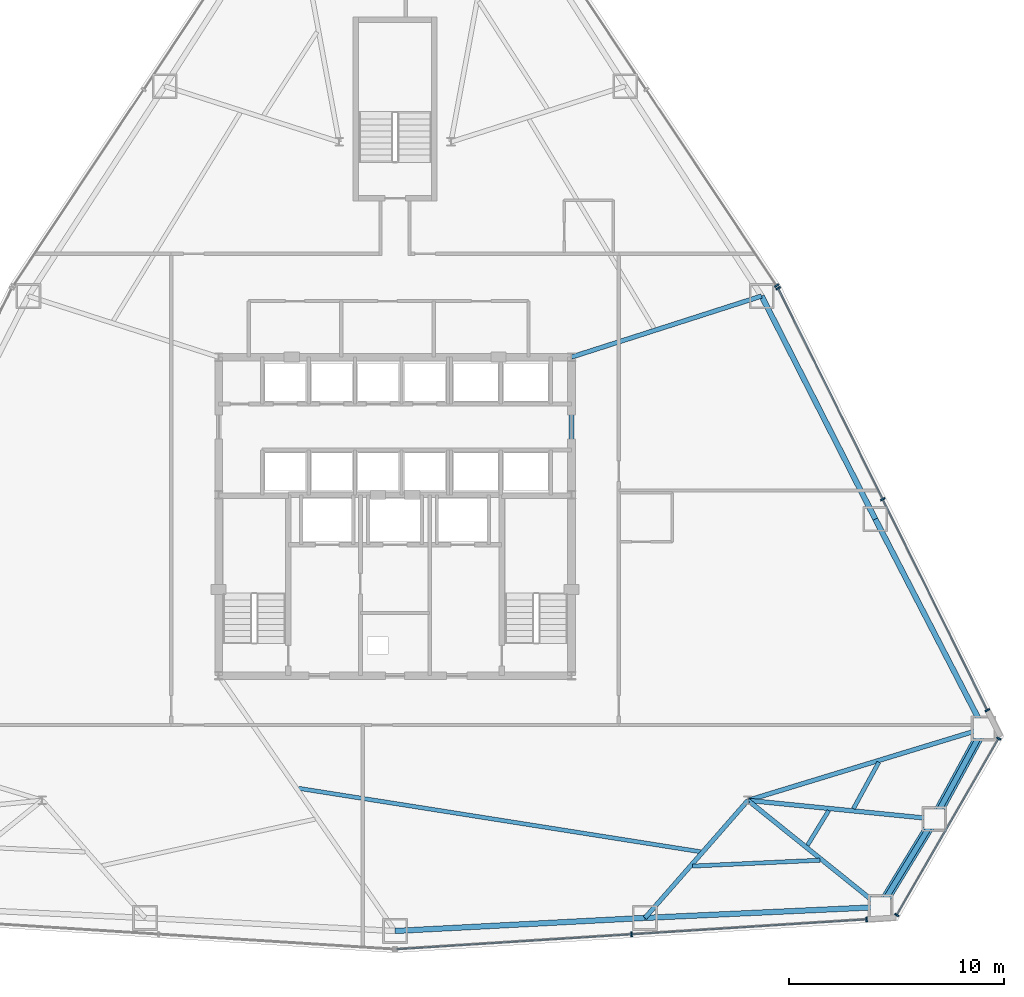
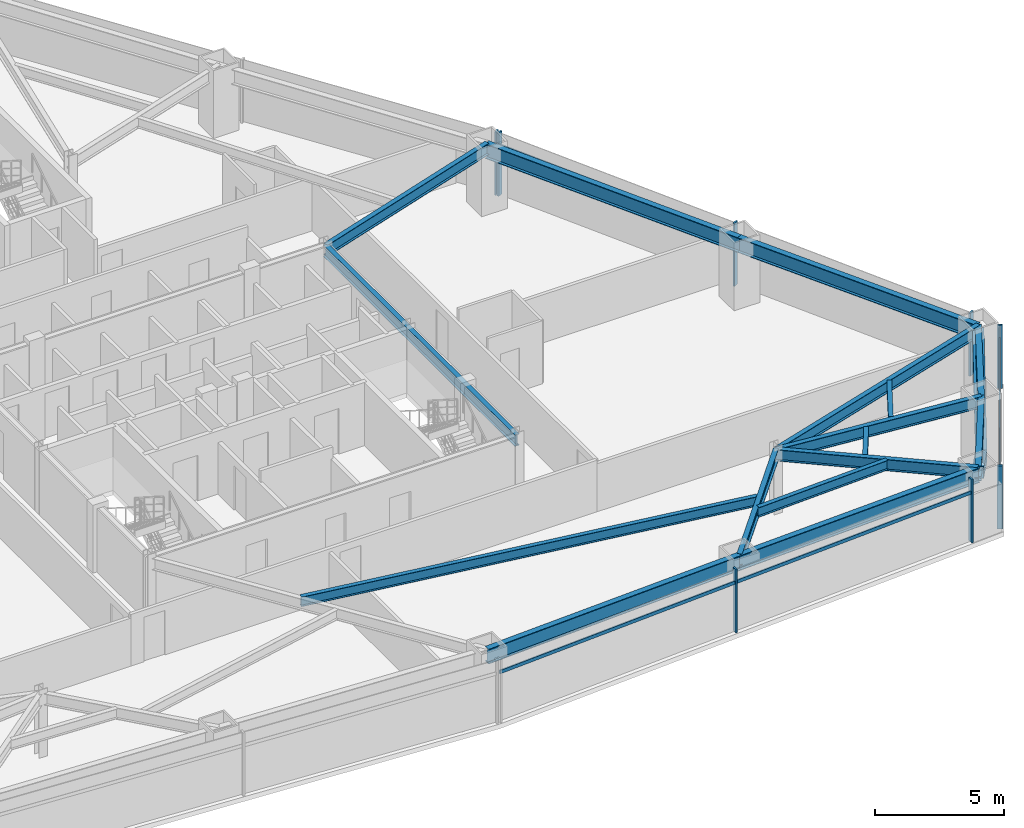
# One storey, part 6 of 12: 16 beams, 13 members, 4 elements without a shape of their own.
"""IFC4 building model written with IfcOpenShell, lengths in metres."""

from ifc_helpers import new_model, si_unit, direction, frame, origin, origin_2d, place, context, subcontext, project, spatial, rectangle, hollow_rectangle, i_section, extrude, source, transform, mapped, material, layer, layer_set, material_profile, profile_set, type_object, type_shapes, element, aggregate, save


model = new_model("IFC4")

# Units and contexts
model_context = context("Model", 3, precision=1e-05, world=origin(), true_north=direction((0.0, 1.0)))
body_context = subcontext(model_context, "Body", "Model", "MODEL_VIEW")
ifc_project = project(units=[si_unit("LENGTHUNIT", "METRE"), si_unit("AREAUNIT", "SQUARE_METRE"), si_unit("VOLUMEUNIT", "CUBIC_METRE"), si_unit("PLANEANGLEUNIT", "RADIAN"), si_unit("MASSUNIT", "GRAM", prefix="KILO")], contexts=[model_context])

# Site, building, storey
site_placement = place(None, origin())
site = spatial("IfcSite", under=ifc_project, at=site_placement, CompositionType="ELEMENT")
building_placement = place(site_placement, origin())
building = spatial("IfcBuilding", under=site, at=building_placement, Name="Varakhsha Concourse Tower", CompositionType="ELEMENT")
storey_placement = place(building_placement, frame((0.0, 0.0, 62.39990234375)))
storey = spatial("IfcBuildingStorey", under=building, at=storey_placement, Name="L17", CompositionType="ELEMENT", Elevation=62.39990234375)

# Beams
ifc_material_1 = material(Name="Structural Steel ASTM A992 Grade 50", Category="steel")
ifc_material_profile_1 = material_profile(ifc_material_1, i_section(OverallWidth=0.19091796875, OverallDepth=0.45703125, WebThickness=0.009033203125, FlangeThickness=0.013916015625, at=origin_2d()), Name="W18X50")
ifc_profile_set_1 = profile_set([ifc_material_profile_1], Name="Structural Steel ASTM A992 Grade 50")
beam_type_1 = type_object("IfcBeamType", Name="BM-JST-W18X50", PredefinedType="JOIST", material=ifc_profile_set_1)
beam_1_placement = place(storey_placement, frame((35.5166015625, 11.159912109375, 2.751708984375), z_axis=(0.987773017824, -0.155898894351, 0.0), x_axis=(0.155898894351, 0.987773017824, 0.0)))
element("IfcBeam", 1, at=beam_1_placement, inside=storey, type_object=beam_type_1, Name="BM-TJST-L17-11", PredefinedType="JOIST", context=body_context, shape_type="SweptSolid", body=[
    extrude(i_section(OverallWidth=0.19091796875, OverallDepth=0.45703125, WebThickness=0.009033203125, FlangeThickness=0.013916015625, at=origin_2d()), origin(), (0.0, 0.0, 1.0), 18.900390625),
])
beam_2_placement = place(storey_placement, frame((53.830078125, 7.5458984375, 2.751708984375), z_axis=(0.998935000948, 0.046139612934, 0.0), x_axis=(-0.046139612934, 0.998935000948, 0.0)))
element("IfcBeam", 2, at=beam_2_placement, inside=storey, type_object=beam_type_1, Name="BM-TJST-L17-12", PredefinedType="JOIST", context=body_context, shape_type="SweptSolid", body=[
    extrude(i_section(OverallWidth=0.19091796875, OverallDepth=0.45703125, WebThickness=0.009033203125, FlangeThickness=0.013916015625, at=origin_2d()), origin(), (0.0, 0.0, 1.0), 5.915771484375),
])
beam_3_placement = place(storey_placement, frame((59.16748046875, 8.5126953125, 2.751708984375), z_axis=(0.521303604491, 0.853371286103, 0.0), x_axis=(-0.853371286103, 0.521303604491, 0.0)))
element("IfcBeam", 3, at=beam_3_placement, inside=storey, type_object=beam_type_1, Name="BM-TJST-L17-13", PredefinedType="JOIST", context=body_context, shape_type="SweptSolid", body=[
    extrude(i_section(OverallWidth=0.19091796875, OverallDepth=0.45703125, WebThickness=0.009033203125, FlangeThickness=0.013916015625, at=origin_2d()), origin(), (0.0, 0.0, 1.0), 1.888671875),
])
beam_4_placement = place(storey_placement, frame((61.30078125, 10.211181640625, 2.751708984375), z_axis=(0.478525781107, 0.878073503083, 0.0), x_axis=(-0.878073503083, 0.478525781107, 0.0)))
element("IfcBeam", 4, at=beam_4_placement, inside=storey, type_object=beam_type_1, Name="BM-TJST-L17-14", PredefinedType="JOIST", context=body_context, shape_type="SweptSolid", body=[
    extrude(i_section(OverallWidth=0.19091796875, OverallDepth=0.45703125, WebThickness=0.009033203125, FlangeThickness=0.013916015625, at=origin_2d()), origin(), (0.0, 0.0, 1.0), 2.463623046875),
])
ifc_material_profile_2 = material_profile(ifc_material_1, i_section(OverallWidth=0.2109375, OverallDepth=0.5390625, WebThickness=0.011962890625, FlangeThickness=0.01904296875, at=origin_2d()), Name="W21X73")
ifc_profile_set_2 = profile_set([ifc_material_profile_2], Name="Structural Steel ASTM A992 Grade 50")
beam_type_2 = type_object("IfcBeamType", Name="BM-RAD-W21X73", PredefinedType="BEAM", material=ifc_profile_set_2)
beam_5_placement = place(storey_placement, frame((48.199951171875, 16.39990234375, 2.710693359375), z_axis=(0.0, 1.0, 0.0), x_axis=(-1.0, 0.0, 0.0)))
element("IfcBeam", 5, at=beam_5_placement, inside=storey, type_object=beam_type_2, Name="BM-TCORE-L17-CE", PredefinedType="BEAM", context=body_context, shape_type="SweptSolid", body=[
    extrude(i_section(OverallWidth=0.2109375, OverallDepth=0.5390625, WebThickness=0.011962890625, FlangeThickness=0.01904296875, at=origin_2d()), origin(), (0.0, 0.0, 1.0), 14.800048828125),
])
beam_6_placement = place(storey_placement, frame((56.39990234375, 10.60009765625, 2.710693359375), z_axis=(-0.658904355751, -0.75222672777, 0.0), x_axis=(0.75222672777, -0.658904355751, 0.0)))
element("IfcBeam", 6, at=beam_6_placement, inside=storey, type_object=beam_type_2, Name="L17 Radial Floor Girder 12", PredefinedType="BEAM", context=body_context, shape_type="SweptSolid", body=[
    extrude(i_section(OverallWidth=0.2109375, OverallDepth=0.5390625, WebThickness=0.011962890625, FlangeThickness=0.01904296875, at=origin_2d()), origin(), (0.0, 0.0, 1.0), 7.26220703125),
])
beam_7_placement = place(storey_placement, frame((56.39990234375, 10.60009765625, 2.710693359375), z_axis=(0.779042952089, -0.626970556566, 0.0), x_axis=(0.626970556566, 0.779042952089, 0.0)))
element("IfcBeam", 7, at=beam_7_placement, inside=storey, type_object=beam_type_2, Name="L17 Radial Floor Girder 13", PredefinedType="BEAM", context=body_context, shape_type="SweptSolid", body=[
    extrude(i_section(OverallWidth=0.2109375, OverallDepth=0.5390625, WebThickness=0.011962890625, FlangeThickness=0.01904296875, at=origin_2d()), origin(), (0.0, 0.0, 1.0), 7.90673828125),
])
beam_8_placement = place(storey_placement, frame((56.39990234375, 10.60009765625, 2.710693359375), z_axis=(0.995021064191, -0.099664847443, 0.0), x_axis=(0.099664847443, 0.995021064191, 0.0)))
element("IfcBeam", 8, at=beam_8_placement, inside=storey, type_object=beam_type_2, Name="L17 Radial Floor Girder 14", PredefinedType="BEAM", context=body_context, shape_type="SweptSolid", body=[
    extrude(i_section(OverallWidth=0.2109375, OverallDepth=0.5390625, WebThickness=0.011962890625, FlangeThickness=0.01904296875, at=origin_2d()), origin(), (0.0, 0.0, 1.0), 8.700927734375),
])
beam_9_placement = place(storey_placement, frame((56.39990234375, 10.60009765625, 2.710693359375), z_axis=(0.956467040209, 0.291840369026, 0.0), x_axis=(-0.291840369026, 0.956467040209, 0.0)))
element("IfcBeam", 9, at=beam_9_placement, inside=storey, type_object=beam_type_2, Name="L17 Radial Floor Girder 15", PredefinedType="BEAM", context=body_context, shape_type="SweptSolid", body=[
    extrude(i_section(OverallWidth=0.2109375, OverallDepth=0.5390625, WebThickness=0.011962890625, FlangeThickness=0.01904296875, at=origin_2d()), origin(), (0.0, 0.0, 1.0), 11.448974609375),
])
beam_10_placement = place(storey_placement, frame((48.199951171875, 31.199951171875, 2.710693359375), z_axis=(0.952173002913, 0.305559441882, 0.0), x_axis=(-0.305559441882, 0.952173002913, 0.0)))
element("IfcBeam", 10, at=beam_10_placement, inside=storey, type_object=beam_type_2, Name="L17 Radial Floor Girder 17", PredefinedType="BEAM", context=body_context, shape_type="SweptSolid", body=[
    extrude(i_section(OverallWidth=0.2109375, OverallDepth=0.5390625, WebThickness=0.011962890625, FlangeThickness=0.01904296875, at=origin_2d()), origin(), (0.0, 0.0, 1.0), 9.27880859375),
])
ifc_material_profile_3 = material_profile(ifc_material_1, i_section(OverallWidth=0.25390625, OverallDepth=0.701904296875, WebThickness=0.014892578125, FlangeThickness=0.028076171875, at=origin_2d()), Name="W27X129")
ifc_profile_set_3 = profile_set([ifc_material_profile_3], Name="Structural Steel ASTM A992 Grade 50")
beam_type_3 = type_object("IfcBeamType", Name="BM-SPAN-W27X129", PredefinedType="SPANDREL", material=ifc_profile_set_3)
beam_11_placement = place(storey_placement, frame((40.0, 4.52978515625, 2.629150390625), z_axis=(0.998635285896, 0.05222610231, 0.0), x_axis=(-0.05222610231, 0.998635285896, 0.0)))
element("IfcBeam", 11, at=beam_11_placement, inside=storey, type_object=beam_type_3, Name="BM-SPAN-L17-11", PredefinedType="SPANDREL", context=body_context, shape_type="SweptSolid", body=[
    extrude(i_section(OverallWidth=0.25390625, OverallDepth=0.701904296875, WebThickness=0.014892578125, FlangeThickness=0.028076171875, at=origin_2d()), origin(), (0.0, 0.0, 1.0), 11.630615234375),
])
beam_12_placement = place(storey_placement, frame((51.61474609375, 5.13720703125, 2.629150390625), z_axis=(0.998934635381, 0.046147526876, 0.0), x_axis=(-0.046147526876, 0.998934635381, 0.0)))
element("IfcBeam", 12, at=beam_12_placement, inside=storey, type_object=beam_type_3, Name="BM-SPAN-L17-12", PredefinedType="SPANDREL", context=body_context, shape_type="SweptSolid", body=[
    extrude(i_section(OverallWidth=0.25390625, OverallDepth=0.701904296875, WebThickness=0.014892578125, FlangeThickness=0.028076171875, at=origin_2d()), origin(), (0.0, 0.0, 1.0), 10.95654296875),
])
for number, where, z_axis, x_axis, name in (
    (13, (62.5595703125, 5.642822265625, 2.629150390625), (0.521229514311, 0.853416541562, 0.0), (-0.853416541562, 0.521229514311, 0.0), "BM-SPAN-L17-13"),
    (14, (65.0576171875, 9.73291015625, 2.629150390625), (0.478438059968, 0.878121302995, 0.0), (-0.878121302995, 0.478438059968, 0.0), "BM-SPAN-L17-14"),
):
    element("IfcBeam", number, at=place(storey_placement, frame(where, z_axis=z_axis, x_axis=x_axis)), inside=storey, type_object=beam_type_3, Name=name, PredefinedType="SPANDREL", context=body_context, shape_type="SweptSolid", body=[
        extrude(i_section(OverallWidth=0.25390625, OverallDepth=0.701904296875, WebThickness=0.014892578125, FlangeThickness=0.028076171875, at=origin_2d()), origin(), (0.0, 0.0, 1.0), 4.792724609375),
    ])
beam_13_placement = place(storey_placement, frame((67.3505859375, 13.94140625, 2.629150390625), z_axis=(-0.459480507345, 0.888187853649, 0.0), x_axis=(-0.888187853649, -0.459480507345, 0.0)))
element("IfcBeam", 15, at=beam_13_placement, inside=storey, type_object=beam_type_3, Name="BM-SPAN-L17-15", PredefinedType="SPANDREL", context=body_context, shape_type="SweptSolid", body=[
    extrude(i_section(OverallWidth=0.25390625, OverallDepth=0.701904296875, WebThickness=0.014892578125, FlangeThickness=0.028076171875, at=origin_2d()), origin(), (0.0, 0.0, 1.0), 10.956298828125),
])
beam_14_placement = place(storey_placement, frame((62.31640625, 23.672607421875, 2.629150390625), z_axis=(-0.454093687786, 0.890953939726, 0.0), x_axis=(-0.890953939726, -0.454093687786, 0.0)))
element("IfcBeam", 16, at=beam_14_placement, inside=storey, type_object=beam_type_3, Name="BM-SPAN-L17-16", PredefinedType="SPANDREL", context=body_context, shape_type="SweptSolid", body=[
    extrude(i_section(OverallWidth=0.25390625, OverallDepth=0.701904296875, WebThickness=0.014892578125, FlangeThickness=0.028076171875, at=origin_2d()), origin(), (0.0, 0.0, 1.0), 11.630859375),
])

# Members
ifc_material_2 = material(Name="Structural Steel ASTM A500 Grade C", Category="steel")
ifc_material_profile_4 = material_profile(ifc_material_2, hollow_rectangle(XDim=0.449951171875, YDim=0.449951171875, WallThickness=0.01904296875, at=origin_2d()), Name="HSS 450x450x19")
ifc_profile_set_4 = profile_set([ifc_material_profile_4], Name="Structural Steel ASTM A500 Grade C")
member_type_1 = type_object("IfcMemberType", Name="MB-TUBE-HSS450", PredefinedType="BRACE", material=ifc_profile_set_4)
shared_shape_1 = source(origin(), body_context, "Body", "SweptSolid", [
    extrude(hollow_rectangle(XDim=0.449951171875, YDim=0.449951171875, WallThickness=0.01904296875, at=origin_2d()), origin(), (0.0, 0.0, 1.0), 5.43359375),
])
type_shapes(member_type_1, [shared_shape_1])
for number, where, z_axis, x_axis, name in (
    (17, (65.0576171875, 9.73291015625, 0.1201171875), (-0.459748854082, -0.752753376899, 0.471161697019), (0.853416541562, -0.521229514311, 0.0), "L17 Wind-Corner Tube Brace B05"),
    (18, (65.0576171875, 9.73291015625, 0.1201171875), (0.422004965626, 0.774544463103, 0.471160995481), (-0.878121302995, 0.478438059968, 0.0), "L17 Wind-Corner Tube Brace B06"),
):
    element("IfcMember", number, at=place(storey_placement, frame(where, z_axis=z_axis, x_axis=x_axis)), inside=storey, type_object=member_type_1, Name=name, PredefinedType="BRACE", context=body_context, shape_type="MappedRepresentation", body=[
        mapped(shared_shape_1, transform((0.0, 0.0, 0.0), scale=1.0)),
    ])

# Curtain wall, members
ifc_material_3 = material(Name="Anodised Bronze Architectural Aluminium AA 6063-T6", Category="aluminium")
ifc_layer = layer(ifc_material_3, 0.219970703125, Name="CW-SYS-02")
ifc_layer_set = layer_set([ifc_layer], Name="Anodised Bronze Architectural Aluminium AA 6063-T6")
curtain_wall_type = type_object("IfcCurtainWallType", Name="CW-SYS-02", PredefinedType="NOTDEFINED", material=ifc_layer_set)
curtain_wall_1_placement = place(storey_placement, origin())
curtain_wall_1 = element("IfcCurtainWall", 19, at=curtain_wall_1_placement, inside=storey, type_object=curtain_wall_type, Name="L17 Crystal Curtain Wall F6", PredefinedType="NOTDEFINED")
ifc_material_profile_5 = material_profile(ifc_material_3, rectangle(XDim=0.074951171875, YDim=0.219970703125, at=origin_2d()), Name="CWM-220X75")
ifc_profile_set_5 = profile_set([ifc_material_profile_5], Name="Anodised Bronze Architectural Aluminium AA 6063-T6")
member_type_2 = type_object("IfcMemberType", Name="CWM-220X75", PredefinedType="MULLION", material=ifc_profile_set_5)
shared_shape_2 = source(origin(), body_context, "Body", "SweptSolid", [
    extrude(rectangle(XDim=0.074951171875, YDim=0.219970703125, at=origin_2d()), origin(), (0.0, 0.0, 1.0), 2.97998046875),
])
type_shapes(member_type_2, [shared_shape_2])
member_1_placement = place(storey_placement, frame((61.913818359375, 5.069580078125, 0.0), z_axis=(0.0, 0.0, 1.0), x_axis=(-0.997989623922, -0.063377523961, 0.0)))
member_1 = element("IfcMember", 20, at=member_1_placement, type_object=member_type_2, Name="CW-L17-F6 Mullion 00", PredefinedType="MULLION", context=body_context, shape_type="MappedRepresentation", body=[
    mapped(shared_shape_2, transform((0.0, 0.0, 0.0), scale=1.0)),
])
member_2_placement = place(storey_placement, frame((50.99169921875, 4.376220703125, 0.0), z_axis=(0.0, 0.0, 1.0), x_axis=(-0.997989623922, -0.063377523961, 0.0)))
member_2 = element("IfcMember", 21, at=member_2_placement, type_object=member_type_2, Name="CW-L17-F6 Mullion 01", PredefinedType="MULLION", context=body_context, shape_type="MappedRepresentation", body=[
    mapped(shared_shape_2, transform((0.0, 0.0, 0.0), scale=1.0)),
])

curtain_wall_2_placement = place(storey_placement, origin())
curtain_wall_2 = element("IfcCurtainWall", 22, at=curtain_wall_2_placement, inside=storey, type_object=curtain_wall_type, Name="L17 Chamfer Curtain Wall F7", PredefinedType="NOTDEFINED")
member_3_placement = place(storey_placement, frame((68.049560546875, 13.4755859375, 0.0), z_axis=(0.0, 0.0, 1.0), x_axis=(-0.499995465495, -0.866028021766, 0.0)))
member_3 = element("IfcMember", 23, at=member_3_placement, type_object=member_type_2, Name="CW-L17-F7 Mullion 00", PredefinedType="MULLION", context=body_context, shape_type="MappedRepresentation", body=[
    mapped(shared_shape_2, transform((0.0, 0.0, 0.0), scale=1.0)),
])
member_4_placement = place(storey_placement, frame((63.3125, 5.2705078125, 0.0), z_axis=(0.0, 0.0, 1.0), x_axis=(-0.499995465495, -0.866028021766, 0.0)))
member_4 = element("IfcMember", 24, at=member_4_placement, type_object=member_type_2, Name="CW-L17-F7 Mullion 01", PredefinedType="MULLION", context=body_context, shape_type="MappedRepresentation", body=[
    mapped(shared_shape_2, transform((0.0, 0.0, 0.0), scale=1.0)),
])

curtain_wall_3_placement = place(storey_placement, origin())
curtain_wall_3 = element("IfcCurtainWall", 25, at=curtain_wall_3_placement, inside=storey, type_object=curtain_wall_type, Name="L17 Crystal Curtain Wall F8", PredefinedType="NOTDEFINED")
member_5_placement = place(storey_placement, frame((57.803466796875, 34.3984375, 0.0), z_axis=(0.0, 0.0, 1.0), x_axis=(0.444109829949, -0.895972353894, 0.0)))
member_5 = element("IfcMember", 26, at=member_5_placement, type_object=member_type_2, Name="CW-L17-F8 Mullion 00", PredefinedType="MULLION", context=body_context, shape_type="MappedRepresentation", body=[
    mapped(shared_shape_2, transform((0.0, 0.0, 0.0), scale=1.0)),
])
member_6_placement = place(storey_placement, frame((62.663818359375, 24.5927734375, 0.0), z_axis=(0.0, 0.0, 1.0), x_axis=(0.444109829949, -0.895972353894, 0.0)))
member_6 = element("IfcMember", 27, at=member_6_placement, type_object=member_type_2, Name="CW-L17-F8 Mullion 01", PredefinedType="MULLION", context=body_context, shape_type="MappedRepresentation", body=[
    mapped(shared_shape_2, transform((0.0, 0.0, 0.0), scale=1.0)),
])
member_7_placement = place(storey_placement, frame((67.524169921875, 14.787353515625, 0.0), z_axis=(0.0, 0.0, 1.0), x_axis=(0.444109829949, -0.895972353894, 0.0)))
member_7 = element("IfcMember", 28, at=member_7_placement, type_object=member_type_2, Name="CW-L17-F8 Mullion 02", PredefinedType="MULLION", context=body_context, shape_type="MappedRepresentation", body=[
    mapped(shared_shape_2, transform((0.0, 0.0, 0.0), scale=1.0)),
])

# Curtain wall, member
curtain_wall_4_placement = place(storey_placement, origin())
curtain_wall_4 = element("IfcCurtainWall", 29, at=curtain_wall_4_placement, inside=storey, type_object=curtain_wall_type, Name="L17 Crystal Curtain Wall F9", PredefinedType="NOTDEFINED")
member_8_placement = place(storey_placement, frame((57.73388671875, 34.51904296875, 0.0), z_axis=(0.0, 0.0, 1.0), x_axis=(0.553879904586, -0.832596571753, 0.0)))
member_8 = element("IfcMember", 30, at=member_8_placement, type_object=member_type_2, Name="CW-L17-F9 Mullion 02", PredefinedType="MULLION", context=body_context, shape_type="MappedRepresentation", body=[
    mapped(shared_shape_2, transform((0.0, 0.0, 0.0), scale=1.0)),
])
aggregate(curtain_wall_4, [member_8])

# Member
ifc_material_profile_6 = material_profile(ifc_material_3, rectangle(XDim=0.06494140625, YDim=0.159912109375, at=origin_2d()), Name="CWT-160X65")
ifc_profile_set_6 = profile_set([ifc_material_profile_6], Name="Anodised Bronze Architectural Aluminium AA 6063-T6")
member_type_3 = type_object("IfcMemberType", Name="CWT-160X65", PredefinedType="USERDEFINED", material=ifc_profile_set_6)
shared_shape_3 = source(origin(), body_context, "Body", "SweptSolid", [
    extrude(rectangle(XDim=0.06494140625, YDim=0.159912109375, at=origin_2d()), origin(), (0.0, 0.0, 1.0), 21.887939453125),
])
member_9_placement = place(storey_placement, frame((57.803466796875, 34.3984375, 2.330078125), z_axis=(0.444110079116, -0.895972230389, 0.0), x_axis=(0.895972230389, 0.444110079116, 0.0)))
member_9 = element("IfcMember", 31, at=member_9_placement, type_object=member_type_3, Name="CW-L17-F8 Transom 01", ObjectType="TRANSOM", PredefinedType="USERDEFINED", context=body_context, shape_type="MappedRepresentation", body=[
    mapped(shared_shape_3, transform((0.0, 0.0, 0.0), scale=1.0)),
])

aggregate(curtain_wall_3, [member_5, member_6, member_7, member_9])

shared_shape_4 = source(origin(), body_context, "Body", "SweptSolid", [
    extrude(rectangle(XDim=0.06494140625, YDim=0.159912109375, at=origin_2d()), origin(), (0.0, 0.0, 1.0), 9.474365234375),
])
member_10_placement = place(storey_placement, frame((68.049560546875, 13.4755859375, 2.330078125), z_axis=(-0.499988638952, -0.866031962989, 0.0), x_axis=(0.866031962989, -0.499988638952, 0.0)))
member_10 = element("IfcMember", 32, at=member_10_placement, type_object=member_type_3, Name="CW-L17-F7 Transom 01", ObjectType="TRANSOM", PredefinedType="USERDEFINED", context=body_context, shape_type="MappedRepresentation", body=[
    mapped(shared_shape_4, transform((0.0, 0.0, 0.0), scale=1.0)),
])

aggregate(curtain_wall_2, [member_3, member_4, member_10])

shared_shape_5 = source(origin(), body_context, "Body", "SweptSolid", [
    extrude(rectangle(XDim=0.06494140625, YDim=0.159912109375, at=origin_2d()), origin(), (0.0, 0.0, 1.0), 21.88818359375),
])
type_shapes(member_type_3, [shared_shape_3, shared_shape_4, shared_shape_5])
member_11_placement = place(storey_placement, frame((61.913818359375, 5.069580078125, 2.330078125), z_axis=(-0.997990374256, -0.063365707537, 0.0), x_axis=(0.063365707537, -0.997990374256, 0.0)))
member_11 = element("IfcMember", 33, at=member_11_placement, type_object=member_type_3, Name="CW-L17-F6 Transom 01", ObjectType="TRANSOM", PredefinedType="USERDEFINED", context=body_context, shape_type="MappedRepresentation", body=[
    mapped(shared_shape_5, transform((0.0, 0.0, 0.0), scale=1.0)),
])

aggregate(curtain_wall_1, [member_1, member_2, member_11])

save(model, "model.ifc")
